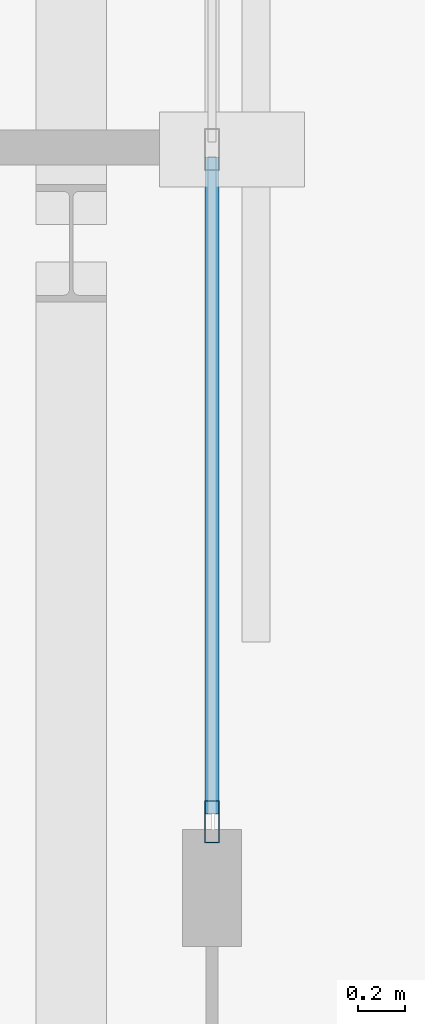
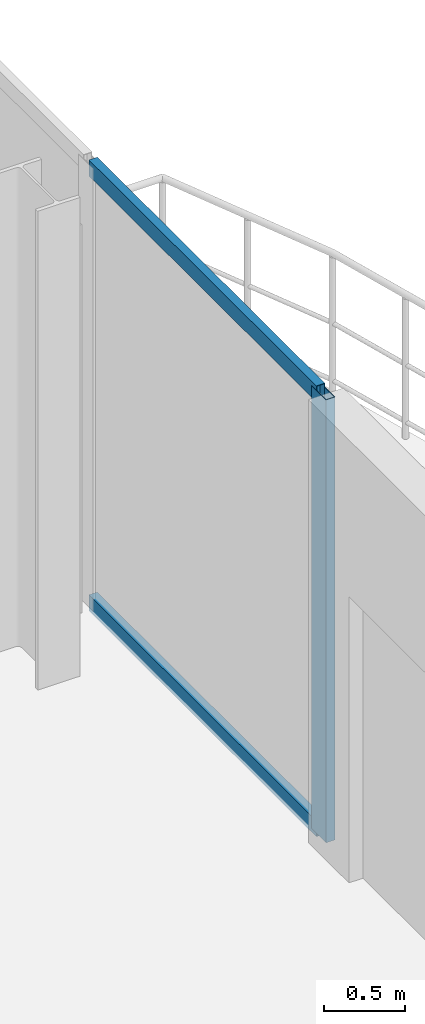
# One storey, part 14 of 23: 3 members, 1 element without a shape of its own.
"""IFC4 building model written with IfcOpenShell, lengths in metres."""

from ifc_helpers import new_model, si_unit, direction, frame, origin, origin_2d, place, context, subcontext, project, spatial, hollow_rectangle, extrude, material, layer, layer_set, material_profile, profile_set, type_object, element, aggregate, save


model = new_model("IFC4")

# Units and contexts
model_context = context("Model", 3, precision=1e-05, world=origin(), true_north=direction((0.0, 1.0)))
body_context = subcontext(model_context, "Body", "Model", "MODEL_VIEW")
ifc_project = project(units=[si_unit("LENGTHUNIT", "METRE"), si_unit("AREAUNIT", "SQUARE_METRE"), si_unit("VOLUMEUNIT", "CUBIC_METRE"), si_unit("PLANEANGLEUNIT", "RADIAN"), si_unit("MASSUNIT", "GRAM", prefix="KILO")], contexts=[model_context])

# Site, building, storey
site_placement = place(None, origin())
site = spatial("IfcSite", under=ifc_project, at=site_placement, CompositionType="ELEMENT")
building_placement = place(site_placement, origin())
building = spatial("IfcBuilding", under=site, at=building_placement, Name="Catumbela Crestline Tower", CompositionType="ELEMENT")
storey_placement = place(building_placement, frame((0.0, 0.0, 175.8)))
storey = spatial("IfcBuildingStorey", under=building, at=storey_placement, Name="L45", CompositionType="ELEMENT", Elevation=175.8)

# Curtain wall, members
ifc_material = material(Name="Aluminium alloy AW-6060-T66", Category="aluminium")
ifc_layer = layer(ifc_material, 0.18, Name="Aluminium alloy AW-6060-T66")
ifc_layer_set = layer_set([ifc_layer], Name="Aluminium alloy AW-6060-T66")
curtain_wall_type = type_object("IfcCurtainWallType", Name="CWU-Z3", PredefinedType="USERDEFINED", material=ifc_layer_set)
curtain_wall_placement = place(storey_placement, origin())
curtain_wall = element("IfcCurtainWall", 1, at=curtain_wall_placement, inside=storey, type_object=curtain_wall_type, Name="L45 Unitised Curtain Wall CW-L45-E5S2", ObjectType="UNITISED", PredefinedType="USERDEFINED")
ifc_material_profile_1 = material_profile(ifc_material, hollow_rectangle(XDim=0.065, YDim=0.18, WallThickness=0.004, at=origin_2d()), Name="ALU 180x65x4")
ifc_profile_set_1 = profile_set([ifc_material_profile_1], Name="Aluminium alloy AW-6060-T66")
member_type_1 = type_object("IfcMemberType", Name="MUL-180X65", PredefinedType="MULLION", material=ifc_profile_set_1)
member_1_placement = place(storey_placement, frame((51.0, 33.7325, 0.0), z_axis=(0.0, 0.0, 1.0), x_axis=(-1.0, 0.0, 0.0)))
member_1 = element("IfcMember", 2, at=member_1_placement, type_object=member_type_1, Name="CWU-Z3 mullion 1", PredefinedType="MULLION", context=body_context, shape_type="SweptSolid", body=[
    extrude(hollow_rectangle(XDim=0.065, YDim=0.18, WallThickness=0.004, at=origin_2d()), origin(), (0.0, 0.0, 1.0), 3.33),
])
ifc_material_profile_2 = material_profile(ifc_material, hollow_rectangle(XDim=0.06, YDim=0.12, WallThickness=0.0035, at=origin_2d()), Name="ALU 120x60x3.5")
ifc_profile_set_2 = profile_set([ifc_material_profile_2], Name="Aluminium alloy AW-6060-T66")
member_type_2 = type_object("IfcMemberType", Name="TRN-120X60", PredefinedType="USERDEFINED", material=ifc_profile_set_2)
member_2_placement = place(storey_placement, frame((51.0, 33.765, 0.03), z_axis=(0.0, 1.0, 0.0), x_axis=(-1.0, 0.0, 0.0)))
member_2 = element("IfcMember", 3, at=member_2_placement, type_object=member_type_2, Name="CWU-Z3 transom 1.1", ObjectType="TRANSOM", PredefinedType="USERDEFINED", context=body_context, shape_type="SweptSolid", body=[
    extrude(hollow_rectangle(XDim=0.06, YDim=0.12, WallThickness=0.0035, at=origin_2d()), origin(), (0.0, 0.0, 1.0), 2.8025),
])
member_3_placement = place(storey_placement, frame((51.0, 33.765, 3.3), z_axis=(0.0, 1.0, 0.0), x_axis=(-1.0, 0.0, 0.0)))
member_3 = element("IfcMember", 4, at=member_3_placement, type_object=member_type_2, Name="CWU-Z3 transom 1.2", ObjectType="TRANSOM", PredefinedType="USERDEFINED", context=body_context, shape_type="SweptSolid", body=[
    extrude(hollow_rectangle(XDim=0.06, YDim=0.12, WallThickness=0.0035, at=origin_2d()), origin(), (0.0, 0.0, 1.0), 2.8025),
])
aggregate(curtain_wall, [member_1, member_2, member_3])

save(model, "model.ifc")
